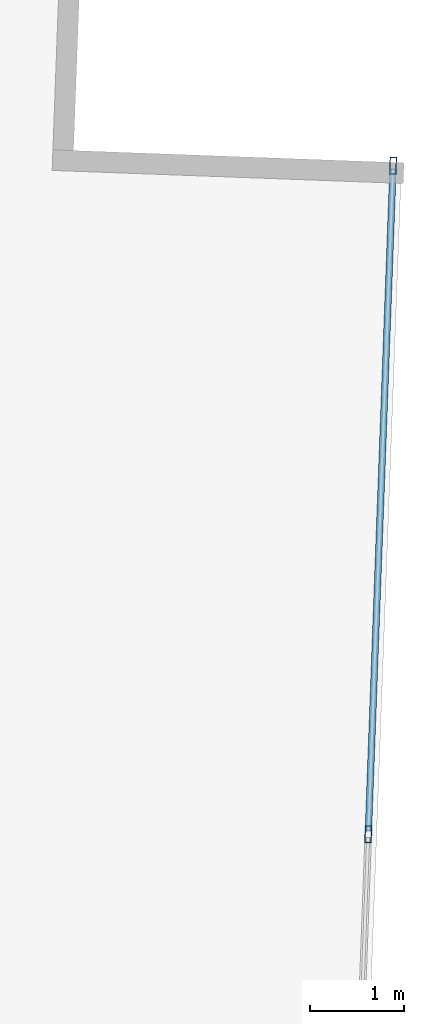
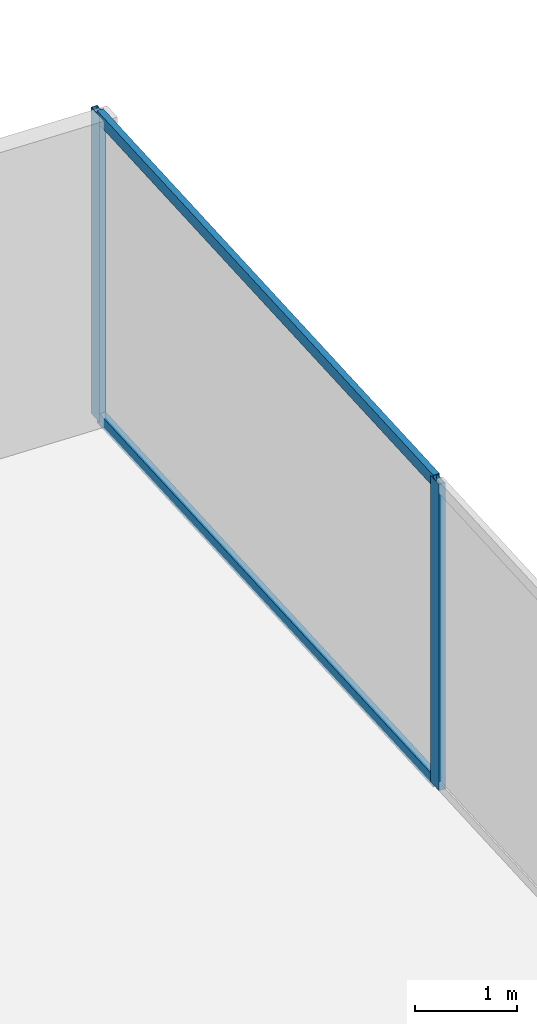
# One storey, part 24 of 30: 4 members, 1 element without a shape of its own.
"""IFC4 building model written with IfcOpenShell, lengths in metres."""

from ifc_helpers import new_model, si_unit, direction, frame, origin, origin_2d, place, context, subcontext, project, spatial, hollow_rectangle, extrude, source, transform, mapped, material, material_profile, profile_set, type_object, type_shapes, element, aggregate, save


model = new_model("IFC4")

# Units and contexts
model_context = context("Model", 3, precision=1e-05, world=origin(), true_north=direction((0.0, 1.0)))
body_context = subcontext(model_context, "Body", "Model", "MODEL_VIEW")
ifc_project = project(units=[si_unit("LENGTHUNIT", "METRE"), si_unit("AREAUNIT", "SQUARE_METRE"), si_unit("VOLUMEUNIT", "CUBIC_METRE"), si_unit("PLANEANGLEUNIT", "RADIAN"), si_unit("MASSUNIT", "GRAM", prefix="KILO")], contexts=[model_context])

# Site, building, storey
site_placement = place(None, origin())
site = spatial("IfcSite", under=ifc_project, at=site_placement, CompositionType="ELEMENT")
building_placement = place(site_placement, origin())
building = spatial("IfcBuilding", under=site, at=building_placement, Name="Krantzveldt Concourse Tower", CompositionType="ELEMENT")
storey_placement = place(building_placement, frame((0.0, 0.0, 44.75)))
storey = spatial("IfcBuildingStorey", under=building, at=storey_placement, Name="L10", CompositionType="ELEMENT", Elevation=44.75)

# Curtain wall, members
ifc_material = material(Name="Anodised aluminium 6063-T6", Category="aluminium")
curtain_wall_type = type_object("IfcCurtainWallType", Name="CW2", PredefinedType="USERDEFINED", material=ifc_material)
curtain_wall_placement = place(storey_placement, origin())
curtain_wall = element("IfcCurtainWall", 1, at=curtain_wall_placement, inside=storey, type_object=curtain_wall_type, Name="CW-L10-F07", ObjectType="UNITISED CURTAIN WALL", PredefinedType="USERDEFINED")
ifc_material_profile_1 = material_profile(ifc_material, hollow_rectangle(XDim=0.070068359375, YDim=0.179931640625, WallThickness=0.0048828125, at=origin_2d()), Name="Anodised aluminium 6063-T6", Category="aluminium")
ifc_profile_set_1 = profile_set([ifc_material_profile_1], Name="Anodised aluminium 6063-T6 - ALU-MULL 180x70x5")
member_type_1 = type_object("IfcMemberType", Name="CW-MUL-180", PredefinedType="MULLION", material=ifc_profile_set_1)
shared_shape_1 = source(origin(), body_context, "Body", "SweptSolid", [
    extrude(hollow_rectangle(XDim=0.070068359375, YDim=0.179931640625, WallThickness=0.0048828125, at=origin_2d()), origin(), (0.0, 0.0, 1.0), 3.669921875),
])
type_shapes(member_type_1, [shared_shape_1])
member_1_placement = place(storey_placement, frame((61.42431640625, 40.099853515625, 0.0), z_axis=(0.0, 0.0, 1.0), x_axis=(-0.999312308986, 0.037079766834, 0.0)))
member_1 = element("IfcMember", 2, at=member_1_placement, type_object=member_type_1, Name="CW-Z12 mullion 6", PredefinedType="MULLION", context=body_context, shape_type="MappedRepresentation", body=[
    mapped(shared_shape_1, transform((0.0, 0.0, 0.0), x_axis=(1.0, 0.0, 0.0), y_axis=(0.0, 1.0, 0.0), z_axis=(0.0, 0.0, 1.0), scale=1.0)),
])
member_2_placement = place(storey_placement, frame((61.688720703125, 47.2265625, 0.0), z_axis=(0.0, 0.0, 1.0), x_axis=(-0.999312308986, 0.037079766834, 0.0)))
member_2 = element("IfcMember", 3, at=member_2_placement, type_object=member_type_1, Name="CW-Z12 mullion 7", PredefinedType="MULLION", context=body_context, shape_type="MappedRepresentation", body=[
    mapped(shared_shape_1, transform((0.0, 0.0, 0.0), x_axis=(1.0, 0.0, 0.0), y_axis=(0.0, 1.0, 0.0), z_axis=(0.0, 0.0, 1.0), scale=1.0)),
])
ifc_material_profile_2 = material_profile(ifc_material, hollow_rectangle(XDim=0.070068359375, YDim=0.139892578125, WallThickness=0.0048828125, at=origin_2d()), Name="Anodised aluminium 6063-T6", Category="aluminium")
ifc_profile_set_2 = profile_set([ifc_material_profile_2], Name="Anodised aluminium 6063-T6 - ALU-TRAN 140x70x5")
member_type_2 = type_object("IfcMemberType", Name="CW-TRN-150", PredefinedType="USERDEFINED", material=ifc_profile_set_2)
shared_shape_2 = source(origin(), body_context, "Body", "SweptSolid", [
    extrude(hollow_rectangle(XDim=0.070068359375, YDim=0.139892578125, WallThickness=0.0048828125, at=origin_2d()), origin(), (0.0, 0.0, 1.0), 7.061767578125),
])
type_shapes(member_type_2, [shared_shape_2])
member_3_placement = place(storey_placement, frame((61.425537109375, 40.134765625, 0.034912109375), z_axis=(0.037096054624, 0.99931170449, 0.0), x_axis=(-0.99931170449, 0.037096054624, 0.0)))
member_3 = element("IfcMember", 4, at=member_3_placement, type_object=member_type_2, Name="CW-Z12 transom 6.1", ObjectType="TRANSOM", PredefinedType="USERDEFINED", context=body_context, shape_type="MappedRepresentation", body=[
    mapped(shared_shape_2, transform((0.0, 0.0, 0.0), x_axis=(1.0, 0.0, 0.0), y_axis=(0.0, 1.0, 0.0), z_axis=(0.0, 0.0, 1.0), scale=1.0)),
])
member_4_placement = place(storey_placement, frame((61.425537109375, 40.134765625, 3.635009765625), z_axis=(0.037096054624, 0.99931170449, 0.0), x_axis=(-0.99931170449, 0.037096054624, 0.0)))
member_4 = element("IfcMember", 5, at=member_4_placement, type_object=member_type_2, Name="CW-Z12 transom 6.2", ObjectType="TRANSOM", PredefinedType="USERDEFINED", context=body_context, shape_type="MappedRepresentation", body=[
    mapped(shared_shape_2, transform((0.0, 0.0, 0.0), x_axis=(1.0, 0.0, 0.0), y_axis=(0.0, 1.0, 0.0), z_axis=(0.0, 0.0, 1.0), scale=1.0)),
])
aggregate(curtain_wall, [member_1, member_2, member_3, member_4])

save(model, "model.ifc")
